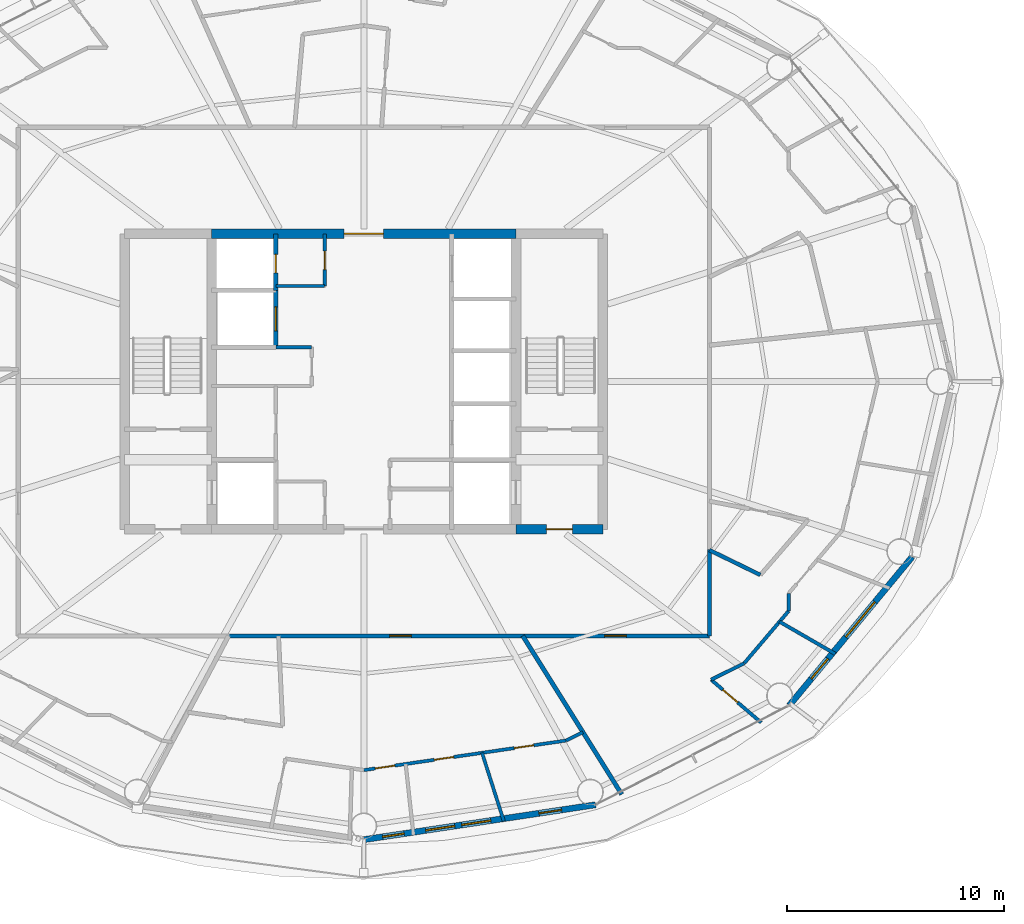
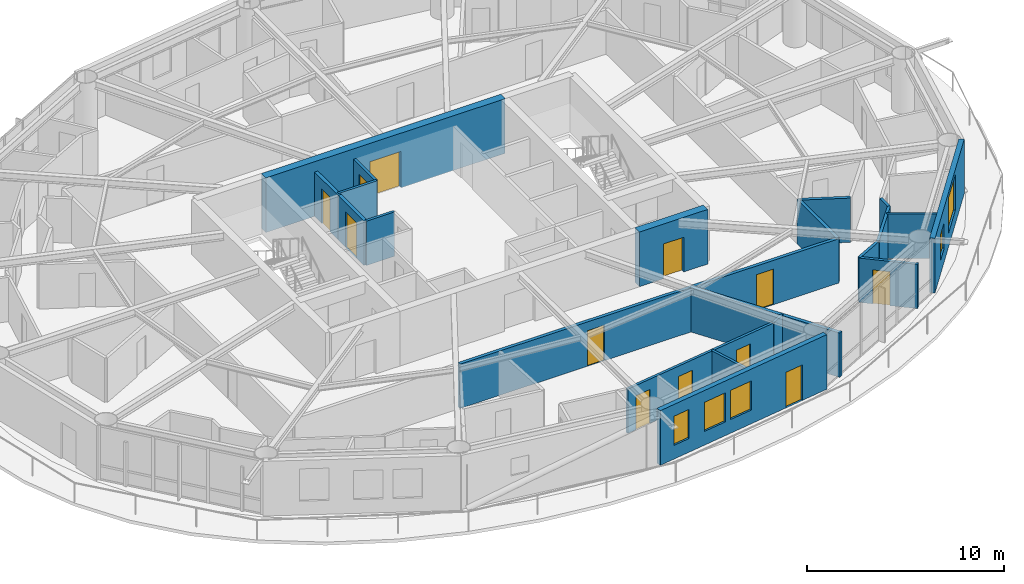
# One storey, part 22 of 28: 21 walls, 12 doors, 5 windows, 17 openings.
"""IFC4 building model written with IfcOpenShell, lengths in metres."""

from ifc_helpers import new_model, si_unit, direction, frame, frame_2d, origin, place, context, subcontext, project, spatial, rectangle, extrude, material, layer, layer_set, type_object, element, fill, save


model = new_model("IFC4")

# Units and contexts
model_context = context("Model", 3, precision=1e-05, world=origin(), true_north=direction((0.0, 1.0)))
body_context = subcontext(model_context, "Body", "Model", "MODEL_VIEW")
ifc_project = project(units=[si_unit("LENGTHUNIT", "METRE"), si_unit("AREAUNIT", "SQUARE_METRE"), si_unit("VOLUMEUNIT", "CUBIC_METRE"), si_unit("PLANEANGLEUNIT", "RADIAN"), si_unit("MASSUNIT", "GRAM", prefix="KILO")], contexts=[model_context])

# Site, building, storey
site_placement = place(None, origin())
site = spatial("IfcSite", under=ifc_project, at=site_placement, CompositionType="ELEMENT")
building_placement = place(site_placement, origin())
building = spatial("IfcBuilding", under=site, at=building_placement, Name="Sarneth Arch Tower", CompositionType="ELEMENT")
storey_placement = place(building_placement, frame((0.0, 0.0, 190.199951171875)))
storey = spatial("IfcBuildingStorey", under=building, at=storey_placement, Name="L48", CompositionType="ELEMENT", Elevation=190.199951171875)

# Wall, opening, door
ifc_material_1 = material(Name="Concrete C50/60", Category="concrete")
ifc_layer_1 = layer(ifc_material_1, 0.449951171875)
ifc_layer_set_1 = layer_set([ifc_layer_1], Name="Concrete C50/60")
wall_type_1 = type_object("IfcWallType", Name="WALL-CORE-450", PredefinedType="SHEAR", material=ifc_layer_set_1)
wall_1_placement = place(storey_placement, frame((55.0, 35.199951171875, 0.0), z_axis=(0.0, 0.0, 1.0), x_axis=(1.0, 0.0, 0.0)))
wall_1 = element("IfcWall", 1, at=wall_1_placement, inside=storey, type_object=wall_type_1, Name="L48 Core shear wall S-E", PredefinedType="SHEAR", context=body_context, shape_type="SweptSolid", body=[
    extrude(rectangle(XDim=4.0, YDim=0.449951171875, at=frame_2d((2.0, 0.0))), origin(), (0.0, 0.0, 1.0), 3.380126953125),
])
opening_1_placement = place(wall_1_placement, frame((1.39990234375, 0.0, 0.0)))
opening_1 = element("IfcOpeningElement", 2, at=opening_1_placement, cuts=wall_1, Name="Opening FD-02", PredefinedType="OPENING", context=body_context, shape_type="SweptSolid", body=[
    extrude(rectangle(XDim=1.199951171875, YDim=2.14990234375, at=frame_2d((0.60009765625, 1.074951171875))), frame((0.0, 0.23486328125, 0.0), z_axis=(0.0, -1.0, 0.0), x_axis=(1.0, 0.0, 0.0)), (0.0, 0.0, 1.0), 0.469970703125),
])
ifc_material_2 = material(Name="Galvanised Steel S275 fire door set", Category="steel")
door_type_1 = type_object("IfcDoorType", Name="DR-FD90-1200", OperationType="SINGLE_SWING_LEFT", PredefinedType="DOOR", material=ifc_material_2)
door_1_placement = place(opening_1_placement, origin())
door_1 = element("IfcDoor", 3, at=door_1_placement, inside=storey, type_object=door_type_1, Name="L48 Firefighting lobby 2 exit door", OperationType="SINGLE_SWING_RIGHT", OverallHeight=2.14990234375, OverallWidth=1.199951171875, PredefinedType="DOOR", context=body_context, shape_type="SweptSolid", body=[
    extrude(rectangle(XDim=1.199951171875, YDim=2.14990234375, at=frame_2d((0.60009765625, 1.074951171875))), frame((0.0, 0.02490234375, 0.0), z_axis=(0.0, -1.0, 0.0), x_axis=(1.0, 0.0, 0.0)), (0.0, 0.0, 1.0), 0.050048828125),
])
fill(opening_1, door_1)

wall_2_placement = place(storey_placement, frame((41.0, 48.800048828125, 0.0), z_axis=(0.0, 0.0, 1.0), x_axis=(1.0, 0.0, 0.0)))
wall_2 = element("IfcWall", 4, at=wall_2_placement, inside=storey, type_object=wall_type_1, Name="L48 Core shear wall N-M", PredefinedType="SHEAR", context=body_context, shape_type="SweptSolid", body=[
    extrude(rectangle(XDim=14.0, YDim=0.449951171875, at=frame_2d((7.0, 0.0))), origin(), (0.0, 0.0, 1.0), 3.380126953125),
])
opening_2_placement = place(wall_2_placement, frame((6.10009765625, 0.0, 0.0)))
opening_2 = element("IfcOpeningElement", 5, at=opening_2_placement, cuts=wall_2, Name="Opening FD-01", PredefinedType="OPENING", context=body_context, shape_type="SweptSolid", body=[
    extrude(rectangle(XDim=1.800048828125, YDim=2.25, at=frame_2d((0.89990234375, 1.125))), frame((0.0, 0.23486328125, 0.0), z_axis=(0.0, -1.0, 0.0), x_axis=(1.0, 0.0, 0.0)), (0.0, 0.0, 1.0), 0.469970703125),
])
ifc_material_3 = material(Name="Galvanised Steel S275 fire door set", Category="steel")
door_type_2 = type_object("IfcDoorType", Name="DR-FD90-1800", OperationType="DOUBLE_DOOR_SINGLE_SWING", PredefinedType="DOOR", material=ifc_material_3)
door_2_placement = place(opening_2_placement, origin())
door_2 = element("IfcDoor", 6, at=door_2_placement, inside=storey, type_object=door_type_2, Name="L48 Central lift lobby north door", OperationType="DOUBLE_DOOR_SINGLE_SWING", OverallHeight=2.25, OverallWidth=1.800048828125, PredefinedType="DOOR", context=body_context, shape_type="SweptSolid", body=[
    extrude(rectangle(XDim=1.800048828125, YDim=2.25, at=frame_2d((0.89990234375, 1.125))), frame((0.0, 0.02490234375, 0.0), z_axis=(0.0, -1.0, 0.0), x_axis=(1.0, 0.0, 0.0)), (0.0, 0.0, 1.0), 0.050048828125),
])
fill(opening_2, door_2)

# Wall, openings, doors
ifc_material_4 = material(Name="Double steel-stud corridor fire wall", Category="steel")
ifc_layer_2 = layer(ifc_material_4, 0.18994140625)
ifc_layer_set_2 = layer_set([ifc_layer_2], Name="Double steel-stud corridor fire wall")
wall_type_2 = type_object("IfcWallType", Name="WALL-CORR-190", PredefinedType="PARTITIONING", material=ifc_layer_set_2)
wall_3_placement = place(storey_placement, frame((41.742919921875, 30.300048828125, 0.0), z_axis=(0.0, 0.0, 1.0), x_axis=(1.0, 0.0, 0.0)))
wall_3 = element("IfcWall", 7, at=wall_3_placement, inside=storey, type_object=wall_type_2, Name="L48 Interior partition W-L48-TP-014", PredefinedType="PARTITIONING", context=body_context, shape_type="SweptSolid", body=[
    extrude(rectangle(XDim=22.156982421875, YDim=0.18994140625, at=frame_2d((11.07861328125, 0.0))), origin(), (0.0, 0.0, 1.0), 2.739990234375),
])
opening_3_placement = place(wall_3_placement, frame((7.451171875, 0.0, 0.0)))
opening_3 = element("IfcOpeningElement", 8, at=opening_3_placement, cuts=wall_3, Name="Opening FD-08", PredefinedType="OPENING", context=body_context, shape_type="SweptSolid", body=[
    extrude(rectangle(XDim=1.0, YDim=2.199951171875, at=frame_2d((0.5, 1.10009765625))), frame((0.0, 0.10498046875, 0.0), z_axis=(0.0, -1.0, 0.0), x_axis=(1.0, 0.0, 0.0)), (0.0, 0.0, 1.0), 0.2099609375),
])
opening_4_placement = place(wall_3_placement, frame((17.343994140625, 0.0, 0.0)))
opening_4 = element("IfcOpeningElement", 9, at=opening_4_placement, cuts=wall_3, Name="Opening FD-08", PredefinedType="OPENING", context=body_context, shape_type="SweptSolid", body=[
    extrude(rectangle(XDim=1.0, YDim=2.199951171875, at=frame_2d((0.5, 1.10009765625))), frame((0.0, 0.10498046875, 0.0), z_axis=(0.0, -1.0, 0.0), x_axis=(1.0, 0.0, 0.0)), (0.0, 0.0, 1.0), 0.2099609375),
])
ifc_material_5 = material(Name="Hardwood timber acoustic fire door", Category="wood")
door_type_3 = type_object("IfcDoorType", Name="DR-FD60-1000", OperationType="SINGLE_SWING_LEFT", PredefinedType="DOOR", material=ifc_material_5)
door_3_placement = place(opening_3_placement, origin())
door_3 = element("IfcDoor", 10, at=door_3_placement, inside=storey, type_object=door_type_3, Name="L48 Interior door DR-L48-U5-ENT", OperationType="SINGLE_SWING_RIGHT", OverallHeight=2.199951171875, OverallWidth=1.0, PredefinedType="DOOR", context=body_context, shape_type="SweptSolid", body=[
    extrude(rectangle(XDim=1.0, YDim=2.199951171875, at=frame_2d((0.5, 1.10009765625))), frame((0.0, 0.02490234375, 0.0), z_axis=(0.0, -1.0, 0.0), x_axis=(1.0, 0.0, 0.0)), (0.0, 0.0, 1.0), 0.050048828125),
])
fill(opening_3, door_3)
door_4_placement = place(opening_4_placement, origin())
door_4 = element("IfcDoor", 11, at=door_4_placement, inside=storey, type_object=door_type_3, Name="L48 Interior door DR-L48-U6-ENT", OperationType="SINGLE_SWING_RIGHT", OverallHeight=2.199951171875, OverallWidth=1.0, PredefinedType="DOOR", context=body_context, shape_type="SweptSolid", body=[
    extrude(rectangle(XDim=1.0, YDim=2.199951171875, at=frame_2d((0.5, 1.10009765625))), frame((0.0, 0.02490234375, 0.0), z_axis=(0.0, -1.0, 0.0), x_axis=(1.0, 0.0, 0.0)), (0.0, 0.0, 1.0), 0.050048828125),
])
fill(opening_4, door_4)

# Wall
wall_4_placement = place(storey_placement, frame((63.89990234375, 34.28076171875, 0.0), z_axis=(0.0, 0.0, 1.0), x_axis=(0.0, -1.0, 0.0)))
element("IfcWall", 12, at=wall_4_placement, inside=storey, type_object=wall_type_2, Name="L48 Interior partition W-L48-TP-016", PredefinedType="PARTITIONING", context=body_context, shape_type="SweptSolid", body=[
    extrude(rectangle(XDim=3.980712890625, YDim=0.18994140625, at=frame_2d((1.990234375, 0.0))), origin(), (0.0, 0.0, 1.0), 2.739990234375),
])

# Wall, openings, door, windows
ifc_material_6 = material(Name="Extruded terracotta rainscreen on Concrete C40/50 backing", Category="masonry")
ifc_layer_3 = layer(ifc_material_6, 0.280029296875)
ifc_layer_set_3 = layer_set([ifc_layer_3], Name="Extruded terracotta rainscreen on Concrete C40/50 backing")
wall_type_3 = type_object("IfcWallType", Name="WALL-EXT-TERRA-280", PredefinedType="SOLIDWALL", material=ifc_layer_set_3)
wall_5_placement = place(storey_placement, frame((48.0, 20.919921875, 0.0), z_axis=(0.0, 0.0, 1.0), x_axis=(0.988863993413, 0.148822049884, 0.0)))
wall_5 = element("IfcWall", 13, at=wall_5_placement, inside=storey, type_object=wall_type_3, Name="L48 Terracotta perimeter wall 13", PredefinedType="SOLIDWALL", context=body_context, shape_type="SweptSolid", body=[
    extrude(rectangle(XDim=10.782958984375, YDim=0.280029296875, at=frame_2d((5.3916015625, 0.0))), origin(), (0.0, 0.0, 1.0), 3.380126953125),
])
opening_5_placement = place(wall_5_placement, frame((2.877685546875, 0.0, 0.85009765625)))
opening_5 = element("IfcOpeningElement", 14, at=opening_5_placement, cuts=wall_5, Name="Opening W-08", PredefinedType="OPENING", context=body_context, shape_type="SweptSolid", body=[
    extrude(rectangle(XDim=1.35009765625, YDim=1.800048828125, at=frame_2d((0.675048828125, 0.89990234375))), frame((0.0, 0.14990234375, 0.0), z_axis=(0.0, -1.0, 0.0), x_axis=(1.0, 0.0, 0.0)), (0.0, 0.0, 1.0), 0.300048828125),
])
opening_6_placement = place(wall_5_placement, frame((4.56298828125, 0.0, 0.85009765625)))
opening_6 = element("IfcOpeningElement", 15, at=opening_6_placement, cuts=wall_5, Name="Opening W-08", PredefinedType="OPENING", context=body_context, shape_type="SweptSolid", body=[
    extrude(rectangle(XDim=1.35009765625, YDim=1.800048828125, at=frame_2d((0.675048828125, 0.89990234375))), frame((0.0, 0.14990234375, 0.0), z_axis=(0.0, -1.0, 0.0), x_axis=(1.0, 0.0, 0.0)), (0.0, 0.0, 1.0), 0.300048828125),
])
opening_7_placement = place(wall_5_placement, frame((8.151123046875, 0.0, 0.0)))
opening_7 = element("IfcOpeningElement", 16, at=opening_7_placement, cuts=wall_5, Name="Opening BD-4", PredefinedType="OPENING", context=body_context, shape_type="SweptSolid", body=[
    extrude(rectangle(XDim=1.050048828125, YDim=2.199951171875, at=frame_2d((0.52490234375, 1.10009765625))), frame((0.0, 0.14990234375, 0.0), z_axis=(0.0, -1.0, 0.0), x_axis=(1.0, 0.0, 0.0)), (0.0, 0.0, 1.0), 0.300048828125),
])
opening_8_placement = place(wall_5_placement, frame((0.873779296875, 0.0, 0.85009765625)))
opening_8 = element("IfcOpeningElement", 17, at=opening_8_placement, cuts=wall_5, Name="Opening W-11", PredefinedType="OPENING", context=body_context, shape_type="SweptSolid", body=[
    extrude(rectangle(XDim=1.0, YDim=1.800048828125, at=frame_2d((0.5, 0.89990234375))), frame((0.0, 0.14990234375, 0.0), z_axis=(0.0, -1.0, 0.0), x_axis=(1.0, 0.0, 0.0)), (0.0, 0.0, 1.0), 0.300048828125),
])
ifc_material_7 = material(Name="Thermally broken Aluminium 6063-T6 and laminated safety glass", Category="aluminium")
door_type_4 = type_object("IfcDoorType", Name="DR-BALC-GLZ-1050", OperationType="SINGLE_SWING_RIGHT", PredefinedType="DOOR", material=ifc_material_7)
door_5_placement = place(opening_7_placement, origin())
door_5 = element("IfcDoor", 18, at=door_5_placement, inside=storey, type_object=door_type_4, Name="L48 Balcony glazed door 13", OperationType="SINGLE_SWING_RIGHT", OverallHeight=2.199951171875, OverallWidth=1.050048828125, PredefinedType="DOOR", context=body_context, shape_type="SweptSolid", body=[
    extrude(rectangle(XDim=1.050048828125, YDim=2.199951171875, at=frame_2d((0.52490234375, 1.10009765625))), frame((0.0, 0.02490234375, 0.0), z_axis=(0.0, -1.0, 0.0), x_axis=(1.0, 0.0, 0.0)), (0.0, 0.0, 1.0), 0.050048828125),
])
fill(opening_7, door_5)
ifc_material_8 = material(Name="Thermally broken Aluminium 6063-T6 and low-e laminated IGU", Category="aluminium")
window_type_1 = type_object("IfcWindowType", Name="WIN-TWR-1000x1800", PartitioningType="SINGLE_PANEL", PredefinedType="WINDOW", material=ifc_material_8)
window_1_placement = place(opening_8_placement, origin())
window_1 = element("IfcWindow", 19, at=window_1_placement, inside=storey, type_object=window_type_1, Name="L48 Dwelling bedroom window 04", OverallHeight=1.800048828125, OverallWidth=1.0, PartitioningType="SINGLE_PANEL", PredefinedType="WINDOW", context=body_context, shape_type="SweptSolid", body=[
    extrude(rectangle(XDim=1.0, YDim=1.800048828125, at=frame_2d((0.5, 0.89990234375))), frame((0.0, 0.030029296875, 0.0), z_axis=(0.0, -1.0, 0.0), x_axis=(1.0, 0.0, 0.0)), (0.0, 0.0, 1.0), 0.06005859375),
])
fill(opening_8, window_1)
ifc_material_9 = material(Name="Thermally broken Aluminium 6063-T6 and low-e laminated IGU", Category="aluminium")
window_type_2 = type_object("IfcWindowType", Name="WIN-TWR-1350x1800", PartitioningType="SINGLE_PANEL", PredefinedType="WINDOW", material=ifc_material_9)
window_2_placement = place(opening_5_placement, origin())
window_2 = element("IfcWindow", 20, at=window_2_placement, inside=storey, type_object=window_type_2, Name="L48 Exterior window 13A", OverallHeight=1.800048828125, OverallWidth=1.35009765625, PartitioningType="SINGLE_PANEL", PredefinedType="WINDOW", context=body_context, shape_type="SweptSolid", body=[
    extrude(rectangle(XDim=1.35009765625, YDim=1.800048828125, at=frame_2d((0.675048828125, 0.89990234375))), frame((0.0, 0.030029296875, 0.0), z_axis=(0.0, -1.0, 0.0), x_axis=(1.0, 0.0, 0.0)), (0.0, 0.0, 1.0), 0.06005859375),
])
fill(opening_5, window_2)
window_3_placement = place(opening_6_placement, origin())
window_3 = element("IfcWindow", 21, at=window_3_placement, inside=storey, type_object=window_type_2, Name="L48 Exterior window 13B", OverallHeight=1.800048828125, OverallWidth=1.35009765625, PartitioningType="SINGLE_PANEL", PredefinedType="WINDOW", context=body_context, shape_type="SweptSolid", body=[
    extrude(rectangle(XDim=1.35009765625, YDim=1.800048828125, at=frame_2d((0.675048828125, 0.89990234375))), frame((0.0, 0.030029296875, 0.0), z_axis=(0.0, -1.0, 0.0), x_axis=(1.0, 0.0, 0.0)), (0.0, 0.0, 1.0), 0.06005859375),
])
fill(opening_6, window_3)

# Wall, openings, windows
wall_6_placement = place(storey_placement, frame((67.576171875, 27.09423828125, 0.0), z_axis=(0.0, 0.0, 1.0), x_axis=(0.637333477683, 0.770588111915, 0.0)))
wall_6 = element("IfcWall", 22, at=wall_6_placement, inside=storey, type_object=wall_type_3, Name="L48 Terracotta perimeter wall 15", PredefinedType="SOLIDWALL", context=body_context, shape_type="SweptSolid", body=[
    extrude(rectangle(XDim=8.874755859375, YDim=0.280029296875, at=frame_2d((4.4375, 0.0))), origin(), (0.0, 0.0, 1.0), 3.380126953125),
])
opening_9_placement = place(wall_6_placement, frame((1.594482421875, 0.0, 0.85009765625)))
opening_9 = element("IfcOpeningElement", 23, at=opening_9_placement, cuts=wall_6, Name="Opening W-10", PredefinedType="OPENING", context=body_context, shape_type="SweptSolid", body=[
    extrude(rectangle(XDim=1.199951171875, YDim=1.60009765625, at=frame_2d((0.60009765625, 0.800048828125))), frame((0.0, 0.14990234375, 0.0), z_axis=(0.0, -1.0, 0.0), x_axis=(1.0, 0.0, 0.0)), (0.0, 0.0, 1.0), 0.300048828125),
])
opening_10_placement = place(wall_6_placement, frame((4.0869140625, 0.0, 0.85009765625)))
opening_10 = element("IfcOpeningElement", 24, at=opening_10_placement, cuts=wall_6, Name="Opening W-03", PredefinedType="OPENING", context=body_context, shape_type="SweptSolid", body=[
    extrude(rectangle(XDim=2.10009765625, YDim=2.199951171875, at=frame_2d((1.050048828125, 1.10009765625))), frame((0.0, 0.14990234375, 0.0), z_axis=(0.0, -1.0, 0.0), x_axis=(1.0, 0.0, 0.0)), (0.0, 0.0, 1.0), 0.300048828125),
])
ifc_material_10 = material(Name="Thermally broken Aluminium 6063-T6 and low-e laminated IGU", Category="aluminium")
window_type_3 = type_object("IfcWindowType", Name="WIN-TWR-1200x1600", PartitioningType="SINGLE_PANEL", PredefinedType="WINDOW", material=ifc_material_10)
window_4_placement = place(opening_9_placement, origin())
window_4 = element("IfcWindow", 25, at=window_4_placement, inside=storey, type_object=window_type_3, Name="L48 Exterior window 15A", OverallHeight=1.60009765625, OverallWidth=1.199951171875, PartitioningType="SINGLE_PANEL", PredefinedType="WINDOW", context=body_context, shape_type="SweptSolid", body=[
    extrude(rectangle(XDim=1.199951171875, YDim=1.60009765625, at=frame_2d((0.60009765625, 0.800048828125))), frame((0.0, 0.030029296875, 0.0), z_axis=(0.0, -1.0, 0.0), x_axis=(1.0, 0.0, 0.0)), (0.0, 0.0, 1.0), 0.06005859375),
])
fill(opening_9, window_4)
ifc_material_11 = material(Name="Thermally broken Aluminium 6063-T6 and low-e laminated IGU", Category="aluminium")
window_type_4 = type_object("IfcWindowType", Name="WIN-TWR-2100x2200", PartitioningType="DOUBLE_PANEL_VERTICAL", PredefinedType="WINDOW", material=ifc_material_11)
window_5_placement = place(opening_10_placement, origin())
window_5 = element("IfcWindow", 26, at=window_5_placement, inside=storey, type_object=window_type_4, Name="L48 Exterior window 15B", OverallHeight=2.199951171875, OverallWidth=2.10009765625, PartitioningType="SINGLE_PANEL", PredefinedType="WINDOW", context=body_context, shape_type="SweptSolid", body=[
    extrude(rectangle(XDim=2.10009765625, YDim=2.199951171875, at=frame_2d((1.050048828125, 1.10009765625))), frame((0.0, 0.030029296875, 0.0), z_axis=(0.0, -1.0, 0.0), x_axis=(1.0, 0.0, 0.0)), (0.0, 0.0, 1.0), 0.06005859375),
])
fill(opening_10, window_5)

# Walls
ifc_material_12 = material(Name="Acoustic gypsum stud partition", Category="gypsum")
ifc_layer_4 = layer(ifc_material_12, 0.14990234375)
ifc_layer_set_4 = layer_set([ifc_layer_4], Name="Acoustic gypsum stud partition")
wall_type_4 = type_object("IfcWallType", Name="WALL-PART-150", PredefinedType="PARTITIONING", material=ifc_layer_set_4)
wall_7_placement = place(storey_placement, frame((43.949951171875, 43.580078125, 0.0), z_axis=(0.0, 0.0, 1.0), x_axis=(1.0, 0.0, 0.0)))
element("IfcWall", 27, at=wall_7_placement, inside=storey, type_object=wall_type_4, Name="L48 Interior partition W-L48-RECPL-N2", PredefinedType="PARTITIONING", context=body_context, shape_type="SweptSolid", body=[
    extrude(rectangle(XDim=1.650146484375, YDim=0.14990234375, at=frame_2d((0.8251953125, 0.0))), origin(), (0.0, 0.0, 1.0), 2.739990234375),
])
wall_8_placement = place(storey_placement, frame((43.949951171875, 46.39990234375, 0.0), z_axis=(0.0, 0.0, 1.0), x_axis=(1.0, 0.0, 0.0)))
element("IfcWall", 28, at=wall_8_placement, inside=storey, type_object=wall_type_4, Name="L48 Interior partition W-L48-CSUP2-S", PredefinedType="PARTITIONING", context=body_context, shape_type="SweptSolid", body=[
    extrude(rectangle(XDim=2.25, YDim=0.14990234375, at=frame_2d((1.125, 0.0))), origin(), (0.0, 0.0, 1.0), 2.739990234375),
])

# Wall, opening, door
wall_9_placement = place(storey_placement, frame((46.199951171875, 46.39990234375, 0.0), z_axis=(0.0, 0.0, 1.0), x_axis=(0.0, 1.0, 0.0)))
wall_9 = element("IfcWall", 29, at=wall_9_placement, inside=storey, type_object=wall_type_4, Name="L48 Interior partition W-L48-CSUP2-E", PredefinedType="PARTITIONING", context=body_context, shape_type="SweptSolid", body=[
    extrude(rectangle(XDim=2.400146484375, YDim=0.14990234375, at=frame_2d((1.2001953125, 0.0))), origin(), (0.0, 0.0, 1.0), 2.739990234375),
])
opening_11_placement = place(wall_9_placement, frame((0.75, 0.0, 0.0)))
opening_11 = element("IfcOpeningElement", 30, at=opening_11_placement, cuts=wall_9, Name="Opening FD-11", PredefinedType="OPENING", context=body_context, shape_type="SweptSolid", body=[
    extrude(rectangle(XDim=0.85009765625, YDim=2.14990234375, at=frame_2d((0.425048828125, 1.074951171875))), frame((0.0, 0.0849609375, 0.0), z_axis=(0.0, -1.0, 0.0), x_axis=(1.0, 0.0, 0.0)), (0.0, 0.0, 1.0), 0.169921875),
])
ifc_material_13 = material(Name="Galvanised Steel S275 closet fire door", Category="steel")
door_type_5 = type_object("IfcDoorType", Name="DR-FD60-850", OperationType="SINGLE_SWING_LEFT", PredefinedType="DOOR", material=ifc_material_13)
door_6_placement = place(opening_11_placement, origin())
door_6 = element("IfcDoor", 31, at=door_6_placement, inside=storey, type_object=door_type_5, Name="L48 Interior door DR-L48-CSUP2", OperationType="SINGLE_SWING_RIGHT", OverallHeight=2.14990234375, OverallWidth=0.85009765625, PredefinedType="DOOR", context=body_context, shape_type="SweptSolid", body=[
    extrude(rectangle(XDim=0.85009765625, YDim=2.14990234375, at=frame_2d((0.425048828125, 1.074951171875))), frame((0.0, 0.02490234375, 0.0), z_axis=(0.0, -1.0, 0.0), x_axis=(1.0, 0.0, 0.0)), (0.0, 0.0, 1.0), 0.050048828125),
])
fill(opening_11, door_6)

# Wall, openings, doors
wall_10_placement = place(storey_placement, frame((48.0, 24.1201171875, 0.0), z_axis=(0.0, 0.0, 1.0), x_axis=(0.989474667704, 0.144706191892, 0.0)))
wall_10 = element("IfcWall", 32, at=wall_10_placement, inside=storey, type_object=wall_type_4, Name="L48 Interior partition W-L48-TP-101", PredefinedType="PARTITIONING", context=body_context, shape_type="SweptSolid", body=[
    extrude(rectangle(XDim=9.404052734375, YDim=0.14990234375, at=frame_2d((4.7021484375, 0.0))), origin(), (0.0, 0.0, 1.0), 2.739990234375),
])
opening_12_placement = place(wall_10_placement, frame((7.001953125, 0.0, 0.0)))
opening_12 = element("IfcOpeningElement", 33, at=opening_12_placement, cuts=wall_10, Name="Opening ID-01", PredefinedType="OPENING", context=body_context, shape_type="SweptSolid", body=[
    extrude(rectangle(XDim=0.89990234375, YDim=2.10009765625, at=frame_2d((0.449951171875, 1.050048828125))), frame((0.0, 0.0849609375, 0.0), z_axis=(0.0, -1.0, 0.0), x_axis=(1.0, 0.0, 0.0)), (0.0, 0.0, 1.0), 0.169921875),
])
opening_13_placement = place(wall_10_placement, frame((3.274169921875, 0.0, 0.0)))
opening_13 = element("IfcOpeningElement", 34, at=opening_13_placement, cuts=wall_10, Name="Opening ID-01", PredefinedType="OPENING", context=body_context, shape_type="SweptSolid", body=[
    extrude(rectangle(XDim=0.89990234375, YDim=2.10009765625, at=frame_2d((0.449951171875, 1.050048828125))), frame((0.0, 0.0849609375, 0.0), z_axis=(0.0, -1.0, 0.0), x_axis=(1.0, 0.0, 0.0)), (0.0, 0.0, 1.0), 0.169921875),
])
opening_14_placement = place(wall_10_placement, frame((0.5400390625, 0.0, 0.0)))
opening_14 = element("IfcOpeningElement", 35, at=opening_14_placement, cuts=wall_10, Name="Opening ID-01", PredefinedType="OPENING", context=body_context, shape_type="SweptSolid", body=[
    extrude(rectangle(XDim=0.89990234375, YDim=2.10009765625, at=frame_2d((0.449951171875, 1.050048828125))), frame((0.0, 0.0849609375, 0.0), z_axis=(0.0, -1.0, 0.0), x_axis=(1.0, 0.0, 0.0)), (0.0, 0.0, 1.0), 0.169921875),
])
ifc_material_14 = material(Name="Engineered hardwood flush door", Category="wood")
door_type_6 = type_object("IfcDoorType", Name="DR-INT-900", OperationType="SINGLE_SWING_LEFT", PredefinedType="DOOR", material=ifc_material_14)
door_7_placement = place(opening_12_placement, origin())
door_7 = element("IfcDoor", 36, at=door_7_placement, inside=storey, type_object=door_type_6, Name="L48 Interior door DR-L48-U5-BED3", OperationType="SINGLE_SWING_LEFT", OverallHeight=2.10009765625, OverallWidth=0.89990234375, PredefinedType="DOOR", context=body_context, shape_type="SweptSolid", body=[
    extrude(rectangle(XDim=0.89990234375, YDim=2.10009765625, at=frame_2d((0.449951171875, 1.050048828125))), frame((0.0, 0.02490234375, 0.0), z_axis=(0.0, -1.0, 0.0), x_axis=(1.0, 0.0, 0.0)), (0.0, 0.0, 1.0), 0.050048828125),
])
fill(opening_12, door_7)
door_8_placement = place(opening_13_placement, origin())
door_8 = element("IfcDoor", 37, at=door_8_placement, inside=storey, type_object=door_type_6, Name="L48 Interior door DR-L48-U5-BED2", OperationType="SINGLE_SWING_RIGHT", OverallHeight=2.10009765625, OverallWidth=0.89990234375, PredefinedType="DOOR", context=body_context, shape_type="SweptSolid", body=[
    extrude(rectangle(XDim=0.89990234375, YDim=2.10009765625, at=frame_2d((0.449951171875, 1.050048828125))), frame((0.0, 0.02490234375, 0.0), z_axis=(0.0, -1.0, 0.0), x_axis=(1.0, 0.0, 0.0)), (0.0, 0.0, 1.0), 0.050048828125),
])
fill(opening_13, door_8)
door_9_placement = place(opening_14_placement, origin())
door_9 = element("IfcDoor", 38, at=door_9_placement, inside=storey, type_object=door_type_6, Name="L48 Interior door DR-L48-U5-BED1", OperationType="SINGLE_SWING_RIGHT", OverallHeight=2.10009765625, OverallWidth=0.89990234375, PredefinedType="DOOR", context=body_context, shape_type="SweptSolid", body=[
    extrude(rectangle(XDim=0.89990234375, YDim=2.10009765625, at=frame_2d((0.449951171875, 1.050048828125))), frame((0.0, 0.02490234375, 0.0), z_axis=(0.0, -1.0, 0.0), x_axis=(1.0, 0.0, 0.0)), (0.0, 0.0, 1.0), 0.050048828125),
])
fill(opening_14, door_9)

# Walls
wall_11_placement = place(storey_placement, frame((53.441650390625, 24.916015625, 0.0), z_axis=(0.0, 0.0, 1.0), x_axis=(0.303533258223, -0.952820844205, 0.0)))
element("IfcWall", 39, at=wall_11_placement, inside=storey, type_object=wall_type_4, Name="L48 Interior partition W-L48-TP-106", PredefinedType="PARTITIONING", context=body_context, shape_type="SweptSolid", body=[
    extrude(rectangle(XDim=3.3017578125, YDim=0.14990234375, at=frame_2d((1.65087890625, 0.0))), origin(), (0.0, 0.0, 1.0), 2.739990234375),
])
wall_12_placement = place(storey_placement, frame((57.30517578125, 25.48095703125, 0.0), z_axis=(0.0, 0.0, 1.0), x_axis=(0.895046131033, 0.445973567965, 0.0)))
element("IfcWall", 40, at=wall_12_placement, inside=storey, type_object=wall_type_4, Name="L48 Interior partition W-L48-TP-102", PredefinedType="PARTITIONING", context=body_context, shape_type="SweptSolid", body=[
    extrude(rectangle(XDim=0.86669921875, YDim=0.14990234375, at=frame_2d((0.433349609375, 0.0))), origin(), (0.0, 0.0, 1.0), 2.739990234375),
])
wall_13_placement = place(storey_placement, frame((67.550048828125, 31.443359375, 0.0), z_axis=(0.0, 0.0, 1.0), x_axis=(0.0, 1.0, 0.0)))
element("IfcWall", 41, at=wall_13_placement, inside=storey, type_object=wall_type_4, Name="L48 Interior partition W-L48-TP-109", PredefinedType="PARTITIONING", context=body_context, shape_type="SweptSolid", body=[
    extrude(rectangle(XDim=0.812255859375, YDim=0.14990234375, at=frame_2d((0.40625, 0.0))), origin(), (0.0, 0.0, 1.0), 2.739990234375),
])

# Wall, opening, door
ifc_material_15 = material(Name="Kitchen wet service chase wall", Category="gypsum")
ifc_layer_5 = layer(ifc_material_15, 0.159912109375)
ifc_layer_set_5 = layer_set([ifc_layer_5], Name="Kitchen wet service chase wall")
wall_type_5 = type_object("IfcWallType", Name="WALL-PLUMB-160", PredefinedType="PLUMBINGWALL", material=ifc_layer_set_5)
wall_14_placement = place(storey_placement, frame((63.984130859375, 28.28076171875, 0.0), z_axis=(0.0, 0.0, 1.0), x_axis=(0.758829970644, -0.651288780537, 0.0)))
wall_14 = element("IfcWall", 42, at=wall_14_placement, inside=storey, type_object=wall_type_5, Name="L48 Interior partition W-L48-TP-113", PredefinedType="PLUMBINGWALL", context=body_context, shape_type="SweptSolid", body=[
    extrude(rectangle(XDim=3.03076171875, YDim=0.159912109375, at=frame_2d((1.515380859375, 0.0))), origin(), (0.0, 0.0, 1.0), 2.739990234375),
])
opening_15_placement = place(wall_14_placement, frame((0.705322265625, 0.0, 0.0)))
opening_15 = element("IfcOpeningElement", 43, at=opening_15_placement, cuts=wall_14, Name="Opening ID-01", PredefinedType="OPENING", context=body_context, shape_type="SweptSolid", body=[
    extrude(rectangle(XDim=0.89990234375, YDim=2.10009765625, at=frame_2d((0.449951171875, 1.050048828125))), frame((0.0, 0.08984375, 0.0), z_axis=(0.0, -1.0, 0.0), x_axis=(1.0, 0.0, 0.0)), (0.0, 0.0, 1.0), 0.179931640625),
])
door_10_placement = place(opening_15_placement, origin())
door_10 = element("IfcDoor", 44, at=door_10_placement, inside=storey, type_object=door_type_6, Name="L48 Interior door DR-L48-U6-KIT", OperationType="SINGLE_SWING_LEFT", OverallHeight=2.10009765625, OverallWidth=0.89990234375, PredefinedType="DOOR", context=body_context, shape_type="SweptSolid", body=[
    extrude(rectangle(XDim=0.89990234375, YDim=2.10009765625, at=frame_2d((0.449951171875, 1.050048828125))), frame((0.0, 0.02490234375, 0.0), z_axis=(0.0, -1.0, 0.0), x_axis=(1.0, 0.0, 0.0)), (0.0, 0.0, 1.0), 0.050048828125),
])
fill(opening_15, door_10)

# Walls
wall_15_placement = place(storey_placement, frame((69.692626953125, 29.467529296875, 0.0), z_axis=(0.0, 0.0, 1.0), x_axis=(-0.865888886841, 0.500236379769, 0.0)))
element("IfcWall", 45, at=wall_15_placement, inside=storey, type_object=wall_type_5, Name="L48 Interior partition W-L48-TP-121", PredefinedType="PLUMBINGWALL", context=body_context, shape_type="SweptSolid", body=[
    extrude(rectangle(XDim=2.96044921875, YDim=0.159912109375, at=frame_2d((1.480224609375, 0.0))), origin(), (0.0, 0.0, 1.0), 2.739990234375),
])
wall_16_placement = place(storey_placement, frame((67.550048828125, 31.443359375, 0.0), z_axis=(0.0, 0.0, 1.0), x_axis=(-0.647888606369, -0.761735094201, 0.0)))
element("IfcWall", 46, at=wall_16_placement, inside=storey, type_object=wall_type_5, Name="L48 Interior partition W-L48-TP-111", PredefinedType="PLUMBINGWALL", context=body_context, shape_type="SweptSolid", body=[
    extrude(rectangle(XDim=3.15673828125, YDim=0.159912109375, at=frame_2d((1.578369140625, 0.0))), origin(), (0.0, 0.0, 1.0), 2.739990234375),
])
wall_17_placement = place(storey_placement, frame((65.5048828125, 29.038818359375, 0.0), z_axis=(0.0, 0.0, 1.0), x_axis=(-0.894972502213, -0.44612130669, 0.0)))
element("IfcWall", 47, at=wall_17_placement, inside=storey, type_object=wall_type_5, Name="L48 Interior partition W-L48-TP-112", PredefinedType="PLUMBINGWALL", context=body_context, shape_type="SweptSolid", body=[
    extrude(rectangle(XDim=1.69921875, YDim=0.159912109375, at=frame_2d((0.849609375, 0.0))), origin(), (0.0, 0.0, 1.0), 2.739990234375),
])
ifc_material_16 = material(Name="Moisture-resistant plumbing chase wall", Category="gypsum")
ifc_layer_6 = layer(ifc_material_16, 0.179931640625)
ifc_layer_set_6 = layer_set([ifc_layer_6], Name="Moisture-resistant plumbing chase wall")
wall_type_6 = type_object("IfcWallType", Name="WALL-PLUMB-180", PredefinedType="PLUMBINGWALL", material=ifc_layer_set_6)
wall_18_placement = place(storey_placement, frame((63.89990234375, 34.2451171875, 0.0), z_axis=(0.0, 0.0, 1.0), x_axis=(0.898795393126, -0.438368385374, 0.0)))
element("IfcWall", 48, at=wall_18_placement, inside=storey, type_object=wall_type_6, Name="L48 Interior partition W-L48-TP-114", PredefinedType="PLUMBINGWALL", context=body_context, shape_type="SweptSolid", body=[
    extrude(rectangle(XDim=2.612060546875, YDim=0.179931640625, at=frame_2d((1.30615234375, 0.0))), origin(), (0.0, 0.0, 1.0), 2.739990234375),
])

# Wall, opening, door
ifc_material_17 = material(Name="Aerated concrete blockwork C25/30", Category="masonry")
ifc_layer_7 = layer(ifc_material_17, 0.199951171875)
ifc_layer_set_7 = layer_set([ifc_layer_7], Name="Aerated concrete blockwork C25/30")
wall_type_7 = type_object("IfcWallType", Name="WALL-SHAFT-200", PredefinedType="SOLIDWALL", material=ifc_layer_set_7)
wall_19_placement = place(storey_placement, frame((43.949951171875, 46.199951171875, 0.0), z_axis=(0.0, 0.0, 1.0), x_axis=(0.0, 1.0, 0.0)))
wall_19 = element("IfcWall", 49, at=wall_19_placement, inside=storey, type_object=wall_type_7, Name="L48 Interior partition W-L48-RISER-E", PredefinedType="SOLIDWALL", context=body_context, shape_type="SweptSolid", body=[
    extrude(rectangle(XDim=2.60009765625, YDim=0.199951171875, at=frame_2d((1.300048828125, 0.0))), origin(), (0.0, 0.0, 1.0), 2.739990234375),
])
opening_16_placement = place(wall_19_placement, frame((0.800048828125, 0.0, 0.0)))
opening_16 = element("IfcOpeningElement", 50, at=opening_16_placement, cuts=wall_19, Name="Opening FD-11", PredefinedType="OPENING", context=body_context, shape_type="SweptSolid", body=[
    extrude(rectangle(XDim=0.85009765625, YDim=2.14990234375, at=frame_2d((0.425048828125, 1.074951171875))), frame((0.0, 0.10986328125, 0.0), z_axis=(0.0, -1.0, 0.0), x_axis=(1.0, 0.0, 0.0)), (0.0, 0.0, 1.0), 0.219970703125),
])
door_11_placement = place(opening_16_placement, origin())
door_11 = element("IfcDoor", 51, at=door_11_placement, inside=storey, type_object=door_type_5, Name="L48 Lift landing door DR-L48-RISER", OperationType="SINGLE_SWING_LEFT", OverallHeight=2.14990234375, OverallWidth=0.85009765625, PredefinedType="DOOR", context=body_context, shape_type="SweptSolid", body=[
    extrude(rectangle(XDim=0.85009765625, YDim=2.14990234375, at=frame_2d((0.425048828125, 1.074951171875))), frame((0.0, 0.02490234375, 0.0), z_axis=(0.0, -1.0, 0.0), x_axis=(1.0, 0.0, 0.0)), (0.0, 0.0, 1.0), 0.050048828125),
])
fill(opening_16, door_11)

wall_20_placement = place(storey_placement, frame((43.949951171875, 43.580078125, 0.0), z_axis=(0.0, 0.0, 1.0), x_axis=(0.0, 1.0, 0.0)))
wall_20 = element("IfcWall", 52, at=wall_20_placement, inside=storey, type_object=wall_type_7, Name="L48 Interior partition W-L48-PM1-FRONT", PredefinedType="SOLIDWALL", context=body_context, shape_type="SweptSolid", body=[
    extrude(rectangle(XDim=2.619873046875, YDim=0.199951171875, at=frame_2d((1.31005859375, 0.0))), origin(), (0.0, 0.0, 1.0), 2.739990234375),
])
opening_17_placement = place(wall_20_placement, frame((0.75, 0.0, 0.0)))
opening_17 = element("IfcOpeningElement", 53, at=opening_17_placement, cuts=wall_20, Name="Opening LD-1", PredefinedType="OPENING", context=body_context, shape_type="SweptSolid", body=[
    extrude(rectangle(XDim=1.10009765625, YDim=2.199951171875, at=frame_2d((0.550048828125, 1.10009765625))), frame((0.0, 0.10986328125, 0.0), z_axis=(0.0, -1.0, 0.0), x_axis=(1.0, 0.0, 0.0)), (0.0, 0.0, 1.0), 0.219970703125),
])
ifc_material_18 = material(Name="Brushed Stainless Steel 304 lift landing door", Category="steel")
door_type_7 = type_object("IfcDoorType", Name="DR-LIFT-SLIDE-1100", OperationType="SLIDING_TO_LEFT", PredefinedType="DOOR", material=ifc_material_18)
door_12_placement = place(opening_17_placement, origin())
door_12 = element("IfcDoor", 54, at=door_12_placement, inside=storey, type_object=door_type_7, Name="L48 Lift landing door DR-L48-LD-PM1", OperationType="SLIDING_TO_LEFT", OverallHeight=2.199951171875, OverallWidth=1.10009765625, PredefinedType="DOOR", context=body_context, shape_type="SweptSolid", body=[
    extrude(rectangle(XDim=1.10009765625, YDim=2.199951171875, at=frame_2d((0.550048828125, 1.10009765625))), frame((0.0, 0.02490234375, 0.0), z_axis=(0.0, -1.0, 0.0), x_axis=(1.0, 0.0, 0.0)), (0.0, 0.0, 1.0), 0.050048828125),
])
fill(opening_17, door_12)

# Wall
ifc_material_19 = material(Name="Double steel-stud acoustic drywall", Category="steel")
ifc_layer_8 = layer(ifc_material_19, 0.199951171875)
ifc_layer_set_8 = layer_set([ifc_layer_8], Name="Double steel-stud acoustic drywall")
wall_type_8 = type_object("IfcWallType", Name="WALL-UNIT-200", PredefinedType="PARTITIONING", material=ifc_layer_set_8)
wall_21_placement = place(storey_placement, frame((59.86767578125, 23.0078125, 0.0), z_axis=(0.0, 0.0, 1.0), x_axis=(-0.529914717401, 0.848050937315, 0.0)))
element("IfcWall", 55, at=wall_21_placement, inside=storey, type_object=wall_type_8, Name="L48 Interior partition W-L48-TP-103", PredefinedType="PARTITIONING", context=body_context, shape_type="SweptSolid", body=[
    extrude(rectangle(XDim=8.598876953125, YDim=0.199951171875, at=frame_2d((4.29931640625, 0.0))), origin(), (0.0, 0.0, 1.0), 2.739990234375),
])

save(model, "model.ifc")
